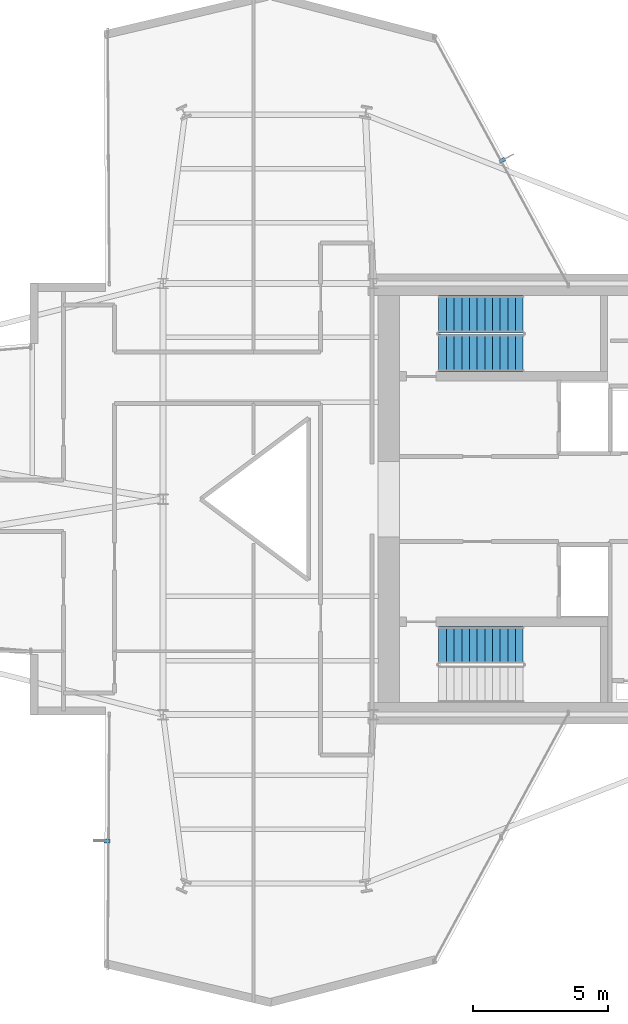
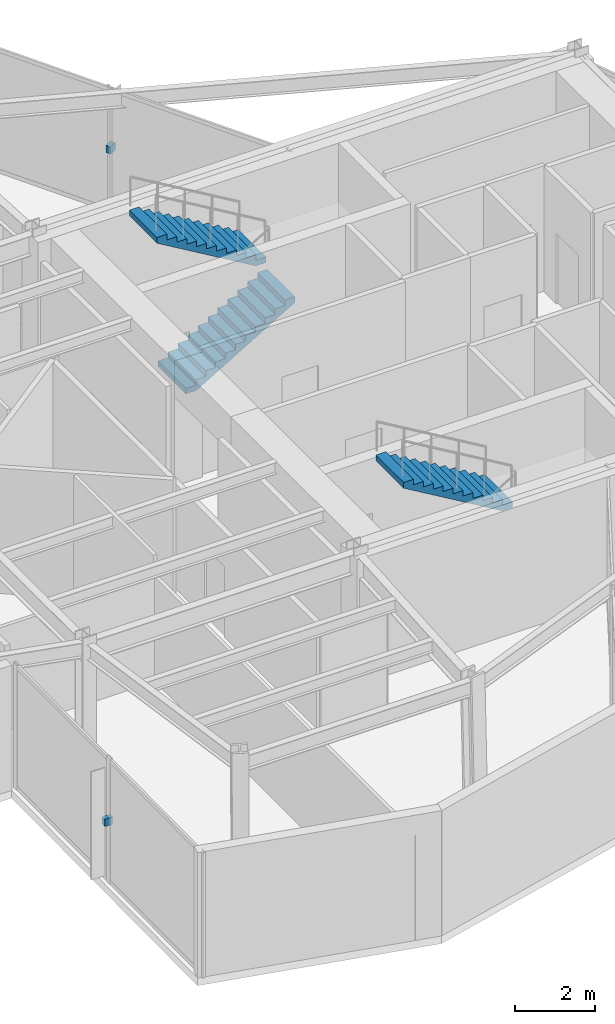
# One storey, part 25 of 26: 3 stair flights, 2 discrete accessories, 2 elements without a shape of their own.
"""IFC4 building model written with IfcOpenShell, lengths in metres."""

from ifc_helpers import new_model, si_unit, direction, frame, origin, origin_2d, place, context, subcontext, project, spatial, polyline, rectangle, outline, extrude, material, layer, layer_set, type_object, element, aggregate, save


model = new_model("IFC4")

# Units and contexts
model_context = context("Model", 3, precision=1e-05, world=origin(), true_north=direction((0.0, 1.0)))
body_context = subcontext(model_context, "Body", "Model", "MODEL_VIEW")
ifc_project = project(units=[si_unit("LENGTHUNIT", "METRE"), si_unit("AREAUNIT", "SQUARE_METRE"), si_unit("VOLUMEUNIT", "CUBIC_METRE"), si_unit("PLANEANGLEUNIT", "RADIAN"), si_unit("MASSUNIT", "GRAM", prefix="KILO")], contexts=[model_context])

# Site, building, storey
site_placement = place(None, origin())
site = spatial("IfcSite", under=ifc_project, at=site_placement, CompositionType="ELEMENT")
building_placement = place(site_placement, origin())
building = spatial("IfcBuilding", under=site, at=building_placement, Name="Veymaron Broadcast Tower", CompositionType="ELEMENT")
storey_placement = place(building_placement, frame((0.0, 0.0, 157.35009765625)))
storey = spatial("IfcBuildingStorey", under=building, at=storey_placement, Name="L36", CompositionType="ELEMENT", Elevation=157.35009765625)

# Stair, stair flights
ifc_material_1 = material(Name="Concrete C50/60", Category="concrete")
stair_type_1 = type_object("IfcStairType", Name="STAIR-CORE-1", PredefinedType="HALF_TURN_STAIR", material=ifc_material_1)
stair_1_placement = place(storey_placement, origin())
stair_1 = element("IfcStair", 1, at=stair_1_placement, inside=storey, type_object=stair_type_1, Name="L36 North protected dog-leg exit stair ST1", PredefinedType="HALF_TURN_STAIR")
ifc_material_2 = material(Name="Precast concrete C50/60", Category="concrete")
stair_flight_type = type_object("IfcStairFlightType", Name="FLT-CORE-RC", PredefinedType="STRAIGHT", material=ifc_material_2)
stair_flight_1_placement = place(storey_placement, frame((41.429931640625, 29.419921875, 0.0), z_axis=(0.0, 0.0, 1.0), x_axis=(1.0, 0.0, 0.0)))
stair_flight_1 = element("IfcStairFlight", 2, at=stair_flight_1_placement, type_object=stair_flight_type, Name="ST1 flight 1", NumberOfRisers=12, NumberOfTreads=11, PredefinedType="STRAIGHT", RiserHeight=0.16875, TreadLength=0.285, context=body_context, shape_type="SweptSolid", body=[
    extrude(outline(polyline([(0.0, 0.0), (0.0, 0.168701171875), (0.284912109375, 0.168701171875), (0.284912109375, 0.33740234375), (0.570068359375, 0.33740234375), (0.570068359375, 0.50634765625), (0.85498046875, 0.50634765625), (0.85498046875, 0.675048828125), (1.139892578125, 0.675048828125), (1.139892578125, 0.84375), (1.425048828125, 0.84375), (1.425048828125, 1.012451171875), (1.7099609375, 1.012451171875), (1.7099609375, 1.18115234375), (1.9951171875, 1.18115234375), (1.9951171875, 1.35009765625), (2.280029296875, 1.35009765625), (2.280029296875, 1.518798828125), (2.56494140625, 1.518798828125), (2.56494140625, 1.6875), (2.85009765625, 1.6875), (2.85009765625, 1.856201171875), (3.135009765625, 1.856201171875), (3.135009765625, 2.02490234375), (3.135009765625, 1.68212890625), (0.294189453125, 0.0), (0.0, 0.0)])), frame((0.0, 0.68994140625, 0.0), z_axis=(0.0, -1.0, 0.0), x_axis=(1.0, 0.0, 0.0)), (0.0, 0.0, 1.0), 1.3798828125),
])
stair_flight_2_placement = place(storey_placement, frame((44.56494140625, 30.860107421875, 2.02490234375), z_axis=(0.0, 0.0, 1.0), x_axis=(-1.0, 0.0, 0.0)))
stair_flight_2 = element("IfcStairFlight", 3, at=stair_flight_2_placement, type_object=stair_flight_type, Name="ST1 flight 2", NumberOfRisers=12, NumberOfTreads=11, PredefinedType="STRAIGHT", RiserHeight=0.16875, TreadLength=0.285, context=body_context, shape_type="SweptSolid", body=[
    extrude(outline(polyline([(0.0, 0.0), (0.0, 0.168701171875), (0.284912109375, 0.168701171875), (0.284912109375, 0.33740234375), (0.570068359375, 0.33740234375), (0.570068359375, 0.50634765625), (0.85498046875, 0.50634765625), (0.85498046875, 0.675048828125), (1.139892578125, 0.675048828125), (1.139892578125, 0.84375), (1.425048828125, 0.84375), (1.425048828125, 1.012451171875), (1.7099609375, 1.012451171875), (1.7099609375, 1.18115234375), (1.9951171875, 1.18115234375), (1.9951171875, 1.35009765625), (2.280029296875, 1.35009765625), (2.280029296875, 1.518798828125), (2.56494140625, 1.518798828125), (2.56494140625, 1.6875), (2.85009765625, 1.6875), (2.85009765625, 1.856201171875), (3.135009765625, 1.856201171875), (3.135009765625, 2.02490234375), (3.135009765625, 1.68212890625), (0.294189453125, 0.0), (0.0, 0.0)])), frame((0.0, 0.68994140625, 0.0), z_axis=(0.0, -1.0, 0.0), x_axis=(1.0, 0.0, 0.0)), (0.0, 0.0, 1.0), 1.3798828125),
])
aggregate(stair_1, [stair_flight_1, stair_flight_2])

# Stair, stair flight
stair_type_2 = type_object("IfcStairType", Name="STAIR-CORE-2", PredefinedType="HALF_TURN_STAIR", material=ifc_material_1)
stair_2_placement = place(storey_placement, origin())
stair_2 = element("IfcStair", 4, at=stair_2_placement, inside=storey, type_object=stair_type_2, Name="L36 South protected dog-leg exit stair ST2", PredefinedType="HALF_TURN_STAIR")
stair_flight_3_placement = place(storey_placement, frame((44.56494140625, 18.580078125, 2.02490234375), z_axis=(0.0, 0.0, 1.0), x_axis=(-1.0, 0.0, 0.0)))
stair_flight_3 = element("IfcStairFlight", 5, at=stair_flight_3_placement, type_object=stair_flight_type, Name="ST2 flight 2", NumberOfRisers=12, NumberOfTreads=11, PredefinedType="STRAIGHT", RiserHeight=0.16875, TreadLength=0.285, context=body_context, shape_type="SweptSolid", body=[
    extrude(outline(polyline([(0.0, 0.0), (0.0, 0.168701171875), (0.284912109375, 0.168701171875), (0.284912109375, 0.33740234375), (0.570068359375, 0.33740234375), (0.570068359375, 0.50634765625), (0.85498046875, 0.50634765625), (0.85498046875, 0.675048828125), (1.139892578125, 0.675048828125), (1.139892578125, 0.84375), (1.425048828125, 0.84375), (1.425048828125, 1.012451171875), (1.7099609375, 1.012451171875), (1.7099609375, 1.18115234375), (1.9951171875, 1.18115234375), (1.9951171875, 1.35009765625), (2.280029296875, 1.35009765625), (2.280029296875, 1.518798828125), (2.56494140625, 1.518798828125), (2.56494140625, 1.6875), (2.85009765625, 1.6875), (2.85009765625, 1.856201171875), (3.135009765625, 1.856201171875), (3.135009765625, 2.02490234375), (3.135009765625, 1.68212890625), (0.294189453125, 0.0), (0.0, 0.0)])), frame((0.0, 0.68994140625, 0.0), z_axis=(0.0, -1.0, 0.0), x_axis=(1.0, 0.0, 0.0)), (0.0, 0.0, 1.0), 1.3798828125),
])
aggregate(stair_2, [stair_flight_3])

# Discrete accessories
ifc_material_3 = material(Name="Austenitic stainless steel AISI 316L", Category="steel")
ifc_layer = layer(ifc_material_3, 0.1201171875)
ifc_layer_set = layer_set([ifc_layer], Name="Austenitic stainless steel AISI 316L")
discrete_accessory_type = type_object("IfcDiscreteAccessoryType", Name="ACC-BRKT-SS1", PredefinedType="BRACKET", material=ifc_layer_set)
for number, where, z_axis, x_axis, name in (
    (6, (43.79296875, 36.575439453125, 1.794921875), (0.0, 0.0, 1.0), (0.879000263685, 0.476821283546, 0.0), "CW-L36-E5-1 fin bracket 1"),
    (7, (29.113037109375, 11.31298828125, 1.794921875), (0.0, 0.0, 1.0), (-0.999976714982, 0.006824184408, 0.0), "CW-L36-E17-1 fin bracket 1"),
):
    element("IfcDiscreteAccessory", number, at=place(storey_placement, frame(where, z_axis=z_axis, x_axis=x_axis)), inside=storey, type_object=discrete_accessory_type, Name=name, PredefinedType="BRACKET", context=body_context, shape_type="SweptSolid", body=[
        extrude(rectangle(XDim=0.219970703125, YDim=0.139892578125, at=origin_2d()), origin(), (0.0, 0.0, 1.0), 0.219970703125),
    ])

save(model, "model.ifc")
